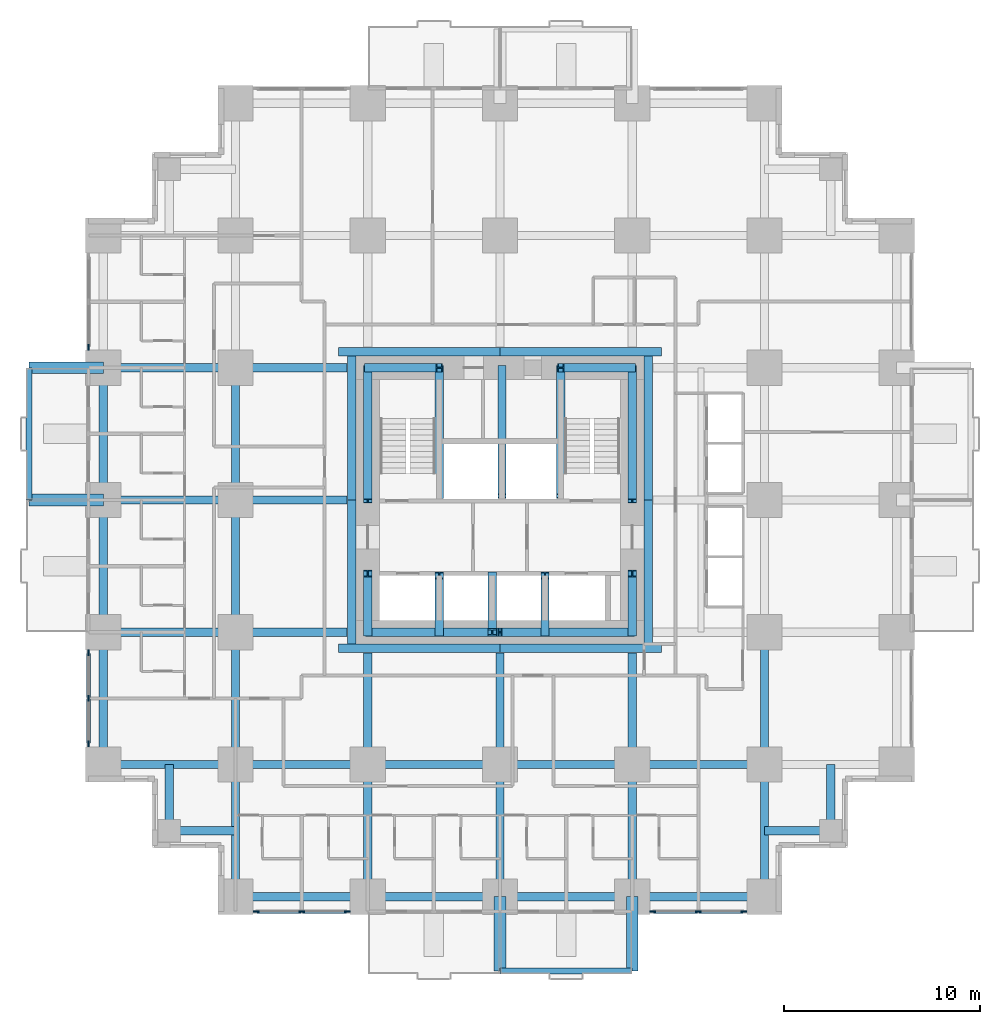
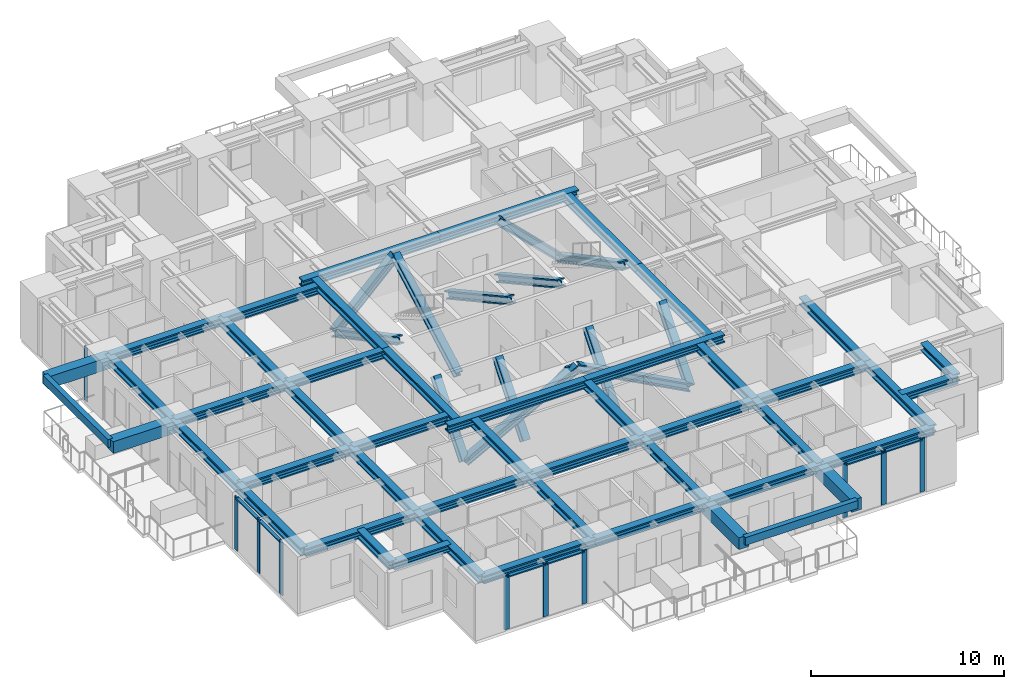
# One storey, part 2 of 13: 48 beams, 30 members, 4 elements without a shape of their own.
"""IFC4 building model written with IfcOpenShell, lengths in metres."""

from ifc_helpers import new_model, si_unit, direction, frame, origin, origin_2d, place, context, subcontext, project, spatial, rectangle, i_section, extrude, material, material_profile, profile_set, type_object, element, aggregate, save


model = new_model("IFC4")

# Units and contexts
model_context = context("Model", 3, precision=1e-05, world=origin(), true_north=direction((0.0, 1.0)))
body_context = subcontext(model_context, "Body", "Model", "MODEL_VIEW")
ifc_project = project(units=[si_unit("LENGTHUNIT", "METRE"), si_unit("AREAUNIT", "SQUARE_METRE"), si_unit("VOLUMEUNIT", "CUBIC_METRE"), si_unit("PLANEANGLEUNIT", "RADIAN"), si_unit("MASSUNIT", "GRAM", prefix="KILO")], contexts=[model_context])

# Site, building, storey
site_placement = place(None, origin())
site = spatial("IfcSite", under=ifc_project, at=site_placement, CompositionType="ELEMENT")
building_placement = place(site_placement, origin())
building = spatial("IfcBuilding", under=site, at=building_placement, Name="Nyansa Garden Tower", CompositionType="ELEMENT")
storey_placement = place(building_placement, frame((0.0, 0.0, 46.800048828125)))
storey = spatial("IfcBuildingStorey", under=building, at=storey_placement, Name="L12", CompositionType="ELEMENT", Elevation=46.800048828125)

# Beams
ifc_material_1 = material(Name="Concrete C70/85", Category="concrete")
ifc_material_profile_1 = material_profile(ifc_material_1, rectangle(XDim=0.60009765625, YDim=0.75, at=origin_2d()), Name="RC 600x750")
ifc_profile_set_1 = profile_set([ifc_material_profile_1], Name="Concrete C70/85")
beam_type_1 = type_object("IfcBeamType", Name="Balcony cantilever beam CB1 RC 600x750", PredefinedType="BEAM", material=ifc_profile_set_1)
for number, where, z_axis, x_axis, name in (
    (1, (20.25, 0.0, 2.98486328125), (0.0, -1.0, 0.0), (1.0, 0.0, 0.0), "Balcony cantilever beam L13"),
    (2, (27.0, 0.0, 2.98486328125), (0.0, -1.0, 0.0), (1.0, 0.0, 0.0), "Balcony cantilever beam L13"),
    (3, (0.0, 20.25, 2.98486328125), (-1.0, 0.0, 0.0), (0.0, -1.0, 0.0), "Balcony cantilever beam L13"),
    (4, (0.0, 27.0, 2.98486328125), (-1.0, 0.0, 0.0), (0.0, -1.0, 0.0), "Balcony cantilever beam L13"),
):
    element("IfcBeam", number, at=place(storey_placement, frame(where, z_axis=z_axis, x_axis=x_axis)), inside=storey, type_object=beam_type_1, Name=name, PredefinedType="BEAM", context=body_context, shape_type="SweptSolid", body=[
        extrude(rectangle(XDim=0.60009765625, YDim=0.75, at=origin_2d()), origin(), (0.0, 0.0, 1.0), 3.800048828125),
    ])
ifc_material_2 = material(Name="Concrete C70/85", Category="concrete")
ifc_material_profile_2 = material_profile(ifc_material_2, rectangle(XDim=0.300048828125, YDim=0.5, at=origin_2d()), Name="RC 300x500")
ifc_profile_set_2 = profile_set([ifc_material_profile_2], Name="Concrete C70/85")
beam_type_2 = type_object("IfcBeamType", Name="Balcony edge beam BE1 RC 300x500", PredefinedType="BEAM", material=ifc_profile_set_2)
for number, where, z_axis, x_axis, name in (
    (5, (20.25, -3.800048828125, 3.10986328125), (1.0, 0.0, 0.0), (0.0, 1.0, 0.0), "Balcony edge beam L13"),
    (6, (-3.800048828125, 20.25, 3.10986328125), (0.0, 1.0, 0.0), (-1.0, 0.0, 0.0), "Balcony edge beam L13"),
):
    element("IfcBeam", number, at=place(storey_placement, frame(where, z_axis=z_axis, x_axis=x_axis)), inside=storey, type_object=beam_type_2, Name=name, PredefinedType="BEAM", context=body_context, shape_type="SweptSolid", body=[
        extrude(rectangle(XDim=0.300048828125, YDim=0.5, at=origin_2d()), origin(), (0.0, 0.0, 1.0), 6.75),
    ])

# Curtain wall, members
ifc_material_3 = material(Name="Black anodised aluminium, dark tinted double glazing", Category="aluminium")
curtain_wall_type = type_object("IfcCurtainWallType", Name="Sky lounge curtain wall SLW", PredefinedType="USERDEFINED", material=ifc_material_3)
curtain_wall_1_placement = place(storey_placement, origin())
curtain_wall_1 = element("IfcCurtainWall", 7, at=curtain_wall_1_placement, inside=storey, type_object=curtain_wall_type, Name="Inner skin curtain wall L12 W", ObjectType="UNITISED CURTAIN WALL", PredefinedType="USERDEFINED")
ifc_material_4 = material(Name="Black anodised aluminium", Category="aluminium")
ifc_material_profile_3 = material_profile(ifc_material_4, rectangle(XDim=0.080078125, YDim=0.300048828125, at=origin_2d()), Name="Mullion 300x80")
ifc_profile_set_3 = profile_set([ifc_material_profile_3], Name="Black anodised aluminium")
member_type_1 = type_object("IfcMemberType", Name="Mullion SLW 300x80", PredefinedType="MULLION", material=ifc_profile_set_3)
member_1_placement = place(storey_placement, frame((-0.75, 12.449951171875, 0.0), z_axis=(0.0, 0.0, 1.0), x_axis=(1.0, 0.0, 0.0)))
member_1 = element("IfcMember", 8, at=member_1_placement, type_object=member_type_1, Name="SLW mullion 1", PredefinedType="MULLION", context=body_context, shape_type="SweptSolid", body=[
    extrude(rectangle(XDim=0.080078125, YDim=0.300048828125, at=origin_2d()), origin(), (0.0, 0.0, 1.0), 3.375),
])
member_2_placement = place(storey_placement, frame((-0.75, 10.125, 0.0), z_axis=(0.0, 0.0, 1.0), x_axis=(1.0, 0.0, 0.0)))
member_2 = element("IfcMember", 9, at=member_2_placement, type_object=member_type_1, Name="SLW mullion 2", PredefinedType="MULLION", context=body_context, shape_type="SweptSolid", body=[
    extrude(rectangle(XDim=0.080078125, YDim=0.300048828125, at=origin_2d()), origin(), (0.0, 0.0, 1.0), 3.375),
])
member_3_placement = place(storey_placement, frame((-0.75, 7.800048828125, 0.0), z_axis=(0.0, 0.0, 1.0), x_axis=(1.0, 0.0, 0.0)))
member_3 = element("IfcMember", 10, at=member_3_placement, type_object=member_type_1, Name="SLW mullion 3", PredefinedType="MULLION", context=body_context, shape_type="SweptSolid", body=[
    extrude(rectangle(XDim=0.080078125, YDim=0.300048828125, at=origin_2d()), origin(), (0.0, 0.0, 1.0), 3.375),
])

# Curtain wall, member
curtain_wall_2_placement = place(storey_placement, origin())
curtain_wall_2 = element("IfcCurtainWall", 11, at=curtain_wall_2_placement, inside=storey, type_object=curtain_wall_type, Name="Inner skin curtain wall L12 W", ObjectType="UNITISED CURTAIN WALL", PredefinedType="USERDEFINED")
member_4_placement = place(storey_placement, frame((-0.75, 28.050048828125, 0.0), z_axis=(0.0, 0.0, 1.0), x_axis=(1.0, 0.0, 0.0)))
member_4 = element("IfcMember", 12, at=member_4_placement, type_object=member_type_1, Name="SLW mullion 3", PredefinedType="MULLION", context=body_context, shape_type="SweptSolid", body=[
    extrude(rectangle(XDim=0.080078125, YDim=0.300048828125, at=origin_2d()), origin(), (0.0, 0.0, 1.0), 3.375),
])
aggregate(curtain_wall_2, [member_4])

# Curtain wall, members
curtain_wall_3_placement = place(storey_placement, origin())
curtain_wall_3 = element("IfcCurtainWall", 13, at=curtain_wall_3_placement, inside=storey, type_object=curtain_wall_type, Name="Inner skin curtain wall L12 S", ObjectType="UNITISED CURTAIN WALL", PredefinedType="USERDEFINED")
member_5_placement = place(storey_placement, frame((7.800048828125, -0.75, 0.0), z_axis=(0.0, 0.0, 1.0), x_axis=(0.0, 1.0, 0.0)))
member_5 = element("IfcMember", 14, at=member_5_placement, type_object=member_type_1, Name="SLW mullion 1", PredefinedType="MULLION", context=body_context, shape_type="SweptSolid", body=[
    extrude(rectangle(XDim=0.080078125, YDim=0.300048828125, at=origin_2d()), origin(), (0.0, 0.0, 1.0), 3.375),
])
member_6_placement = place(storey_placement, frame((10.125, -0.75, 0.0), z_axis=(0.0, 0.0, 1.0), x_axis=(0.0, 1.0, 0.0)))
member_6 = element("IfcMember", 15, at=member_6_placement, type_object=member_type_1, Name="SLW mullion 2", PredefinedType="MULLION", context=body_context, shape_type="SweptSolid", body=[
    extrude(rectangle(XDim=0.080078125, YDim=0.300048828125, at=origin_2d()), origin(), (0.0, 0.0, 1.0), 3.375),
])
member_7_placement = place(storey_placement, frame((12.449951171875, -0.75, 0.0), z_axis=(0.0, 0.0, 1.0), x_axis=(0.0, 1.0, 0.0)))
member_7 = element("IfcMember", 16, at=member_7_placement, type_object=member_type_1, Name="SLW mullion 3", PredefinedType="MULLION", context=body_context, shape_type="SweptSolid", body=[
    extrude(rectangle(XDim=0.080078125, YDim=0.300048828125, at=origin_2d()), origin(), (0.0, 0.0, 1.0), 3.375),
])

curtain_wall_4_placement = place(storey_placement, origin())
curtain_wall_4 = element("IfcCurtainWall", 17, at=curtain_wall_4_placement, inside=storey, type_object=curtain_wall_type, Name="Inner skin curtain wall L12 S", ObjectType="UNITISED CURTAIN WALL", PredefinedType="USERDEFINED")
member_8_placement = place(storey_placement, frame((28.050048828125, -0.75, 0.0), z_axis=(0.0, 0.0, 1.0), x_axis=(0.0, 1.0, 0.0)))
member_8 = element("IfcMember", 18, at=member_8_placement, type_object=member_type_1, Name="SLW mullion 1", PredefinedType="MULLION", context=body_context, shape_type="SweptSolid", body=[
    extrude(rectangle(XDim=0.080078125, YDim=0.300048828125, at=origin_2d()), origin(), (0.0, 0.0, 1.0), 3.375),
])
member_9_placement = place(storey_placement, frame((30.375, -0.75, 0.0), z_axis=(0.0, 0.0, 1.0), x_axis=(0.0, 1.0, 0.0)))
member_9 = element("IfcMember", 19, at=member_9_placement, type_object=member_type_1, Name="SLW mullion 2", PredefinedType="MULLION", context=body_context, shape_type="SweptSolid", body=[
    extrude(rectangle(XDim=0.080078125, YDim=0.300048828125, at=origin_2d()), origin(), (0.0, 0.0, 1.0), 3.375),
])
member_10_placement = place(storey_placement, frame((32.699951171875, -0.75, 0.0), z_axis=(0.0, 0.0, 1.0), x_axis=(0.0, 1.0, 0.0)))
member_10 = element("IfcMember", 20, at=member_10_placement, type_object=member_type_1, Name="SLW mullion 3", PredefinedType="MULLION", context=body_context, shape_type="SweptSolid", body=[
    extrude(rectangle(XDim=0.080078125, YDim=0.300048828125, at=origin_2d()), origin(), (0.0, 0.0, 1.0), 3.375),
])

# Members
ifc_material_5 = material(Name="Steel S355", Category="steel")
ifc_material_profile_4 = material_profile(ifc_material_5, i_section(OverallWidth=0.424072265625, OverallDepth=0.47412109375, WebThickness=0.047607421875, FlangeThickness=0.076904296875, FilletRadius=0.014892578125, at=origin_2d()), Name="HD 400x634")
ifc_profile_set_4 = profile_set([ifc_material_profile_4], Name="Steel S355")
member_type_2 = type_object("IfcMemberType", Name="Perimeter brace HD 400x634", PredefinedType="BRACE", material=ifc_profile_set_4)
for number, where, z_axis, x_axis, name in (
    (21, (13.5, 13.5, 0.0), (0.882360891967, 0.0, 0.470573327259), (0.0, 1.0, 0.0), "Core brace CS1 L12"),
    (22, (27.0, 13.5, 0.0), (-0.882360891967, 0.0, 0.470573327259), (0.0, -1.0, 0.0), "Core brace CS2 L12"),
):
    element("IfcMember", number, at=place(storey_placement, frame(where, z_axis=z_axis, x_axis=x_axis)), inside=storey, type_object=member_type_2, Name=name, PredefinedType="BRACE", context=body_context, shape_type="SweptSolid", body=[
        extrude(i_section(OverallWidth=0.424072265625, OverallDepth=0.47412109375, WebThickness=0.047607421875, FlangeThickness=0.076904296875, FilletRadius=0.014892578125, at=origin_2d()), origin(), (0.0, 0.0, 1.0), 7.64990234375),
    ])
for number, where, z_axis, x_axis, name in (
    (23, (13.5, 27.0, 0.0), (0.711971340796, 0.0, 0.702208523079), (0.0, 1.0, 0.0), "Core brace CN3 L12"),
    (24, (27.0, 27.0, 0.0), (-0.711971340796, 0.0, 0.702208523079), (0.0, -1.0, 0.0), "Core brace CN4 L12"),
):
    element("IfcMember", number, at=place(storey_placement, frame(where, z_axis=z_axis, x_axis=x_axis)), inside=storey, type_object=member_type_2, Name=name, PredefinedType="BRACE", context=body_context, shape_type="SweptSolid", body=[
        extrude(i_section(OverallWidth=0.424072265625, OverallDepth=0.47412109375, WebThickness=0.047607421875, FlangeThickness=0.076904296875, FilletRadius=0.014892578125, at=origin_2d()), origin(), (0.0, 0.0, 1.0), 5.12646484375),
    ])
member_11_placement = place(storey_placement, frame((13.5, 13.5, 0.0), z_axis=(0.0, 0.640199773186, 0.768208468069), x_axis=(-1.0, 0.0, 0.0)))
element("IfcMember", 25, at=member_11_placement, inside=storey, type_object=member_type_2, Name="Core brace CW5 L12", PredefinedType="BRACE", context=body_context, shape_type="SweptSolid", body=[
    extrude(i_section(OverallWidth=0.424072265625, OverallDepth=0.47412109375, WebThickness=0.047607421875, FlangeThickness=0.076904296875, FilletRadius=0.014892578125, at=origin_2d()), origin(), (0.0, 0.0, 1.0), 4.68603515625),
])
member_12_placement = place(storey_placement, frame((13.5, 27.0, 0.0), z_axis=(0.0, -0.883797178129, 0.467870225524), x_axis=(1.0, 0.0, 0.0)))
element("IfcMember", 26, at=member_12_placement, inside=storey, type_object=member_type_2, Name="Core brace CW6 L12", PredefinedType="BRACE", context=body_context, shape_type="SweptSolid", body=[
    extrude(i_section(OverallWidth=0.424072265625, OverallDepth=0.47412109375, WebThickness=0.047607421875, FlangeThickness=0.076904296875, FilletRadius=0.014892578125, at=origin_2d()), origin(), (0.0, 0.0, 1.0), 7.694091796875),
])
member_13_placement = place(storey_placement, frame((27.0, 13.5, 0.0), z_axis=(0.0, 0.640199773186, 0.768208468069), x_axis=(-1.0, 0.0, 0.0)))
element("IfcMember", 27, at=member_13_placement, inside=storey, type_object=member_type_2, Name="Core brace CE7 L12", PredefinedType="BRACE", context=body_context, shape_type="SweptSolid", body=[
    extrude(i_section(OverallWidth=0.424072265625, OverallDepth=0.47412109375, WebThickness=0.047607421875, FlangeThickness=0.076904296875, FilletRadius=0.014892578125, at=origin_2d()), origin(), (0.0, 0.0, 1.0), 4.68603515625),
])
member_14_placement = place(storey_placement, frame((27.0, 27.0, 0.0), z_axis=(0.0, -0.883797178129, 0.467870225524), x_axis=(1.0, 0.0, 0.0)))
element("IfcMember", 28, at=member_14_placement, inside=storey, type_object=member_type_2, Name="Core brace CE8 L12", PredefinedType="BRACE", context=body_context, shape_type="SweptSolid", body=[
    extrude(i_section(OverallWidth=0.424072265625, OverallDepth=0.47412109375, WebThickness=0.047607421875, FlangeThickness=0.076904296875, FilletRadius=0.014892578125, at=origin_2d()), origin(), (0.0, 0.0, 1.0), 7.694091796875),
])
for number, where, z_axis, x_axis, name in (
    (29, (17.14990234375, 20.449951171875, 0.0), (0.0, 0.876366901673, 0.481644115143), (-1.0, 0.0, 0.0), "Core brace CWS9 L12"),
    (30, (23.35009765625, 27.0, 0.0), (0.0, -0.876366901673, 0.481644115143), (1.0, 0.0, 0.0), "Core brace CES10 L12"),
):
    element("IfcMember", number, at=place(storey_placement, frame(where, z_axis=z_axis, x_axis=x_axis)), inside=storey, type_object=member_type_2, Name=name, PredefinedType="BRACE", context=body_context, shape_type="SweptSolid", body=[
        extrude(i_section(OverallWidth=0.424072265625, OverallDepth=0.47412109375, WebThickness=0.047607421875, FlangeThickness=0.076904296875, FilletRadius=0.014892578125, at=origin_2d()), origin(), (0.0, 0.0, 1.0), 7.47412109375),
    ])
for number, where, z_axis, x_axis, name in (
    (31, (17.14990234375, 13.5, 0.0), (0.0, 0.627332207022, 0.778751758928), (-1.0, 0.0, 0.0), "Core brace CSW11 L12"),
    (32, (19.85009765625, 16.39990234375, 0.0), (0.0, -0.627332207022, 0.778751758928), (1.0, 0.0, 0.0), "Core brace CSW12 L12"),
    (33, (22.550048828125, 13.5, 0.0), (0.0, 0.627332207022, 0.778751758928), (-1.0, 0.0, 0.0), "Core brace CSW13 L12"),
):
    element("IfcMember", number, at=place(storey_placement, frame(where, z_axis=z_axis, x_axis=x_axis)), inside=storey, type_object=member_type_2, Name=name, PredefinedType="BRACE", context=body_context, shape_type="SweptSolid", body=[
        extrude(i_section(OverallWidth=0.424072265625, OverallDepth=0.47412109375, WebThickness=0.047607421875, FlangeThickness=0.076904296875, FilletRadius=0.014892578125, at=origin_2d()), origin(), (0.0, 0.0, 1.0), 4.62255859375),
    ])
member_15_placement = place(storey_placement, frame((20.35009765625, 27.0, 0.0), z_axis=(0.0, -0.876366901673, 0.481644115143), x_axis=(1.0, 0.0, 0.0)))
element("IfcMember", 34, at=member_15_placement, inside=storey, type_object=member_type_2, Name="Core brace CNW14 L12", PredefinedType="BRACE", context=body_context, shape_type="SweptSolid", body=[
    extrude(i_section(OverallWidth=0.424072265625, OverallDepth=0.47412109375, WebThickness=0.047607421875, FlangeThickness=0.076904296875, FilletRadius=0.014892578125, at=origin_2d()), origin(), (0.0, 0.0, 1.0), 7.47412109375),
])

# Beams
ifc_material_6 = material(Name="Steel S355", Category="steel")
ifc_material_profile_5 = material_profile(ifc_material_6, i_section(OverallWidth=0.431884765625, OverallDepth=0.498046875, WebThickness=0.0556640625, FlangeThickness=0.0888671875, FilletRadius=0.014892578125, at=origin_2d()), Name="HD 400x744")
ifc_profile_set_5 = profile_set([ifc_material_profile_5], Name="Steel S355")
beam_type_3 = type_object("IfcBeamType", Name="Steel beam SBA1-744 HD 400x744", PredefinedType="BEAM", material=ifc_profile_set_5)
for number, where, z_axis, x_axis, name in (
    (35, (0.0, 6.75, 3.1259765625), (1.0, 0.0, 0.0), (0.0, 1.0, 0.0), "Steel beam 2/E-3/E L13"),
    (36, (0.0, 13.5, 3.1259765625), (1.0, 0.0, 0.0), (0.0, 1.0, 0.0), "Steel beam 2/F-3/F L13"),
    (37, (0.0, 20.25, 3.1259765625), (1.0, 0.0, 0.0), (0.0, 1.0, 0.0), "Steel beam 2/G-3/G L13"),
    (38, (0.0, 27.0, 3.1259765625), (1.0, 0.0, 0.0), (0.0, 1.0, 0.0), "Steel beam 2/H-3/H L13"),
    (39, (6.75, 0.0, 3.1259765625), (0.0, 1.0, 0.0), (-1.0, 0.0, 0.0), "Steel beam 3/D-3/E L13"),
    (40, (6.75, 6.75, 3.1259765625), (0.0, 1.0, 0.0), (-1.0, 0.0, 0.0), "Steel beam 3/E-3/F L13"),
    (41, (6.75, 6.75, 3.1259765625), (1.0, 0.0, 0.0), (0.0, 1.0, 0.0), "Steel beam 3/E-4/E L13"),
    (42, (6.75, 13.5, 3.1259765625), (0.0, 1.0, 0.0), (-1.0, 0.0, 0.0), "Steel beam 3/F-3/G L13"),
):
    element("IfcBeam", number, at=place(storey_placement, frame(where, z_axis=z_axis, x_axis=x_axis)), inside=storey, type_object=beam_type_3, Name=name, PredefinedType="BEAM", context=body_context, shape_type="SweptSolid", body=[
        extrude(i_section(OverallWidth=0.431884765625, OverallDepth=0.498046875, WebThickness=0.0556640625, FlangeThickness=0.0888671875, FilletRadius=0.014892578125, at=origin_2d()), origin(), (0.0, 0.0, 1.0), 6.75),
    ])
beam_1_placement = place(storey_placement, frame((6.75, 13.5, 3.1259765625), z_axis=(1.0, 0.0, 0.0), x_axis=(0.0, 1.0, 0.0)))
element("IfcBeam", 43, at=beam_1_placement, inside=storey, type_object=beam_type_3, Name="Steel beam 3/F-12.450/F L13", PredefinedType="BEAM", context=body_context, shape_type="SweptSolid", body=[
    extrude(i_section(OverallWidth=0.431884765625, OverallDepth=0.498046875, WebThickness=0.0556640625, FlangeThickness=0.0888671875, FilletRadius=0.014892578125, at=origin_2d()), origin(), (0.0, 0.0, 1.0), 5.699951171875),
])
beam_2_placement = place(storey_placement, frame((6.75, 20.25, 3.1259765625), z_axis=(0.0, 1.0, 0.0), x_axis=(-1.0, 0.0, 0.0)))
element("IfcBeam", 44, at=beam_2_placement, inside=storey, type_object=beam_type_3, Name="Steel beam 3/G-3/H L13", PredefinedType="BEAM", context=body_context, shape_type="SweptSolid", body=[
    extrude(i_section(OverallWidth=0.431884765625, OverallDepth=0.498046875, WebThickness=0.0556640625, FlangeThickness=0.0888671875, FilletRadius=0.014892578125, at=origin_2d()), origin(), (0.0, 0.0, 1.0), 6.75),
])
for number, where, z_axis, x_axis, name in (
    (45, (6.75, 20.25, 3.1259765625), (1.0, 0.0, 0.0), (0.0, 1.0, 0.0), "Steel beam 3/G-12.450/G L13"),
    (46, (6.75, 27.0, 3.1259765625), (1.0, 0.0, 0.0), (0.0, 1.0, 0.0), "Steel beam 3/H-12.450/H L13"),
):
    element("IfcBeam", number, at=place(storey_placement, frame(where, z_axis=z_axis, x_axis=x_axis)), inside=storey, type_object=beam_type_3, Name=name, PredefinedType="BEAM", context=body_context, shape_type="SweptSolid", body=[
        extrude(i_section(OverallWidth=0.431884765625, OverallDepth=0.498046875, WebThickness=0.0556640625, FlangeThickness=0.0888671875, FilletRadius=0.014892578125, at=origin_2d()), origin(), (0.0, 0.0, 1.0), 5.699951171875),
    ])
beam_3_placement = place(storey_placement, frame((13.5, 0.0, 3.1259765625), z_axis=(0.0, 1.0, 0.0), x_axis=(-1.0, 0.0, 0.0)))
element("IfcBeam", 47, at=beam_3_placement, inside=storey, type_object=beam_type_3, Name="Steel beam 4/D-4/E L13", PredefinedType="BEAM", context=body_context, shape_type="SweptSolid", body=[
    extrude(i_section(OverallWidth=0.431884765625, OverallDepth=0.498046875, WebThickness=0.0556640625, FlangeThickness=0.0888671875, FilletRadius=0.014892578125, at=origin_2d()), origin(), (0.0, 0.0, 1.0), 6.75),
])
beam_4_placement = place(storey_placement, frame((13.5, 6.75, 3.1259765625), z_axis=(0.0, 1.0, 0.0), x_axis=(-1.0, 0.0, 0.0)))
element("IfcBeam", 48, at=beam_4_placement, inside=storey, type_object=beam_type_3, Name="Steel beam 4/E-4/12.450 L13", PredefinedType="BEAM", context=body_context, shape_type="SweptSolid", body=[
    extrude(i_section(OverallWidth=0.431884765625, OverallDepth=0.498046875, WebThickness=0.0556640625, FlangeThickness=0.0888671875, FilletRadius=0.014892578125, at=origin_2d()), origin(), (0.0, 0.0, 1.0), 5.699951171875),
])
for number, where, z_axis, x_axis, name in (
    (49, (13.5, 6.75, 3.1259765625), (1.0, 0.0, 0.0), (0.0, 1.0, 0.0), "Steel beam 4/E-5/E L13"),
    (50, (20.25, 0.0, 3.1259765625), (0.0, 1.0, 0.0), (-1.0, 0.0, 0.0), "Steel beam 5/D-5/E L13"),
):
    element("IfcBeam", number, at=place(storey_placement, frame(where, z_axis=z_axis, x_axis=x_axis)), inside=storey, type_object=beam_type_3, Name=name, PredefinedType="BEAM", context=body_context, shape_type="SweptSolid", body=[
        extrude(i_section(OverallWidth=0.431884765625, OverallDepth=0.498046875, WebThickness=0.0556640625, FlangeThickness=0.0888671875, FilletRadius=0.014892578125, at=origin_2d()), origin(), (0.0, 0.0, 1.0), 6.75),
    ])
beam_5_placement = place(storey_placement, frame((20.25, 6.75, 3.1259765625), z_axis=(0.0, 1.0, 0.0), x_axis=(-1.0, 0.0, 0.0)))
element("IfcBeam", 51, at=beam_5_placement, inside=storey, type_object=beam_type_3, Name="Steel beam 5/E-5/12.450 L13", PredefinedType="BEAM", context=body_context, shape_type="SweptSolid", body=[
    extrude(i_section(OverallWidth=0.431884765625, OverallDepth=0.498046875, WebThickness=0.0556640625, FlangeThickness=0.0888671875, FilletRadius=0.014892578125, at=origin_2d()), origin(), (0.0, 0.0, 1.0), 5.699951171875),
])
for number, where, z_axis, x_axis, name in (
    (52, (20.25, 6.75, 3.1259765625), (1.0, 0.0, 0.0), (0.0, 1.0, 0.0), "Steel beam 5/E-6/E L13"),
    (53, (27.0, 0.0, 3.1259765625), (0.0, 1.0, 0.0), (-1.0, 0.0, 0.0), "Steel beam 6/D-6/E L13"),
):
    element("IfcBeam", number, at=place(storey_placement, frame(where, z_axis=z_axis, x_axis=x_axis)), inside=storey, type_object=beam_type_3, Name=name, PredefinedType="BEAM", context=body_context, shape_type="SweptSolid", body=[
        extrude(i_section(OverallWidth=0.431884765625, OverallDepth=0.498046875, WebThickness=0.0556640625, FlangeThickness=0.0888671875, FilletRadius=0.014892578125, at=origin_2d()), origin(), (0.0, 0.0, 1.0), 6.75),
    ])
beam_6_placement = place(storey_placement, frame((27.0, 6.75, 3.1259765625), z_axis=(0.0, 1.0, 0.0), x_axis=(-1.0, 0.0, 0.0)))
element("IfcBeam", 54, at=beam_6_placement, inside=storey, type_object=beam_type_3, Name="Steel beam 6/E-6/12.450 L13", PredefinedType="BEAM", context=body_context, shape_type="SweptSolid", body=[
    extrude(i_section(OverallWidth=0.431884765625, OverallDepth=0.498046875, WebThickness=0.0556640625, FlangeThickness=0.0888671875, FilletRadius=0.014892578125, at=origin_2d()), origin(), (0.0, 0.0, 1.0), 5.699951171875),
])
for number, where, z_axis, x_axis, name in (
    (55, (27.0, 6.75, 3.1259765625), (1.0, 0.0, 0.0), (0.0, 1.0, 0.0), "Steel beam 6/E-7/E L13"),
    (56, (33.75, 0.0, 3.1259765625), (0.0, 1.0, 0.0), (-1.0, 0.0, 0.0), "Steel beam 7/D-7/E L13"),
    (57, (33.75, 6.75, 3.1259765625), (0.0, 1.0, 0.0), (-1.0, 0.0, 0.0), "Steel beam 7/E-7/F L13"),
):
    element("IfcBeam", number, at=place(storey_placement, frame(where, z_axis=z_axis, x_axis=x_axis)), inside=storey, type_object=beam_type_3, Name=name, PredefinedType="BEAM", context=body_context, shape_type="SweptSolid", body=[
        extrude(i_section(OverallWidth=0.431884765625, OverallDepth=0.498046875, WebThickness=0.0556640625, FlangeThickness=0.0888671875, FilletRadius=0.014892578125, at=origin_2d()), origin(), (0.0, 0.0, 1.0), 6.75),
    ])
ifc_material_7 = material(Name="Steel S355", Category="steel")
ifc_material_profile_6 = material_profile(ifc_material_7, i_section(OverallWidth=0.431884765625, OverallDepth=0.498046875, WebThickness=0.0556640625, FlangeThickness=0.0888671875, FilletRadius=0.014892578125, at=origin_2d()), Name="HD 400x744")
ifc_profile_set_6 = profile_set([ifc_material_profile_6], Name="Steel S355")
beam_type_4 = type_object("IfcBeamType", Name="Steel beam SEBA-744 HD 400x744", PredefinedType="BEAM", material=ifc_profile_set_6)
for number, where, z_axis, x_axis, name in (
    (58, (0.0, 6.75, 3.1259765625), (0.0, 1.0, 0.0), (-1.0, 0.0, 0.0), "Steel edge beam 2/E-2/F L13"),
    (59, (0.0, 13.5, 3.1259765625), (0.0, 1.0, 0.0), (-1.0, 0.0, 0.0), "Steel edge beam 2/F-2/G L13"),
    (60, (0.0, 20.25, 3.1259765625), (0.0, 1.0, 0.0), (-1.0, 0.0, 0.0), "Steel edge beam 2/G-2/H L13"),
    (61, (6.75, 0.0, 3.1259765625), (1.0, 0.0, 0.0), (0.0, 1.0, 0.0), "Steel edge beam 3/D-4/D L13"),
    (62, (13.5, 0.0, 3.1259765625), (1.0, 0.0, 0.0), (0.0, 1.0, 0.0), "Steel edge beam 4/D-5/D L13"),
    (63, (20.25, 0.0, 3.1259765625), (1.0, 0.0, 0.0), (0.0, 1.0, 0.0), "Steel edge beam 5/D-6/D L13"),
    (64, (27.0, 0.0, 3.1259765625), (1.0, 0.0, 0.0), (0.0, 1.0, 0.0), "Steel edge beam 6/D-7/D L13"),
):
    element("IfcBeam", number, at=place(storey_placement, frame(where, z_axis=z_axis, x_axis=x_axis)), inside=storey, type_object=beam_type_4, Name=name, PredefinedType="BEAM", context=body_context, shape_type="SweptSolid", body=[
        extrude(i_section(OverallWidth=0.431884765625, OverallDepth=0.498046875, WebThickness=0.0556640625, FlangeThickness=0.0888671875, FilletRadius=0.014892578125, at=origin_2d()), origin(), (0.0, 0.0, 1.0), 6.75),
    ])
ifc_material_8 = material(Name="Steel S355", Category="steel")
ifc_material_profile_7 = material_profile(ifc_material_8, i_section(OverallWidth=0.431884765625, OverallDepth=0.498046875, WebThickness=0.0556640625, FlangeThickness=0.0888671875, FilletRadius=0.014892578125, at=origin_2d()), Name="HD 400x744")
ifc_profile_set_7 = profile_set([ifc_material_profile_7], Name="Steel S355")
beam_type_5 = type_object("IfcBeamType", Name="Steel beam SLB1-744 HD 400x744", PredefinedType="BEAM", material=ifc_profile_set_7)
for number, where, z_axis, x_axis, name in (
    (65, (12.0, 12.68408203125, 3.1259765625), (1.0, 0.0, 0.0), (0.0, 1.0, 0.0), "Steel core ledger beam S.1 L13"),
    (66, (20.25, 12.68408203125, 3.1259765625), (1.0, 0.0, 0.0), (0.0, 1.0, 0.0), "Steel core ledger beam S.2 L13"),
):
    element("IfcBeam", number, at=place(storey_placement, frame(where, z_axis=z_axis, x_axis=x_axis)), inside=storey, type_object=beam_type_5, Name=name, PredefinedType="BEAM", context=body_context, shape_type="SweptSolid", body=[
        extrude(i_section(OverallWidth=0.431884765625, OverallDepth=0.498046875, WebThickness=0.0556640625, FlangeThickness=0.0888671875, FilletRadius=0.014892578125, at=origin_2d()), origin(), (0.0, 0.0, 1.0), 8.25),
    ])
for number, where, z_axis, x_axis, name in (
    (67, (27.81591796875, 12.89990234375, 3.1259765625), (0.0, 1.0, 0.0), (-1.0, 0.0, 0.0), "Steel core ledger beam E.1 L13"),
    (68, (27.81591796875, 20.25, 3.1259765625), (0.0, 1.0, 0.0), (-1.0, 0.0, 0.0), "Steel core ledger beam E.2 L13"),
):
    element("IfcBeam", number, at=place(storey_placement, frame(where, z_axis=z_axis, x_axis=x_axis)), inside=storey, type_object=beam_type_5, Name=name, PredefinedType="BEAM", context=body_context, shape_type="SweptSolid", body=[
        extrude(i_section(OverallWidth=0.431884765625, OverallDepth=0.498046875, WebThickness=0.0556640625, FlangeThickness=0.0888671875, FilletRadius=0.014892578125, at=origin_2d()), origin(), (0.0, 0.0, 1.0), 7.35009765625),
    ])
for number, where, z_axis, x_axis, name in (
    (69, (28.5, 27.81591796875, 3.1259765625), (-1.0, 0.0, 0.0), (0.0, -1.0, 0.0), "Steel core ledger beam N.1 L13"),
    (70, (20.25, 27.81591796875, 3.1259765625), (-1.0, 0.0, 0.0), (0.0, -1.0, 0.0), "Steel core ledger beam N.2 L13"),
):
    element("IfcBeam", number, at=place(storey_placement, frame(where, z_axis=z_axis, x_axis=x_axis)), inside=storey, type_object=beam_type_5, Name=name, PredefinedType="BEAM", context=body_context, shape_type="SweptSolid", body=[
        extrude(i_section(OverallWidth=0.431884765625, OverallDepth=0.498046875, WebThickness=0.0556640625, FlangeThickness=0.0888671875, FilletRadius=0.014892578125, at=origin_2d()), origin(), (0.0, 0.0, 1.0), 8.25),
    ])
for number, where, z_axis, x_axis, name in (
    (71, (12.68408203125, 27.60009765625, 3.1259765625), (0.0, -1.0, 0.0), (1.0, 0.0, 0.0), "Steel core ledger beam W.1 L13"),
    (72, (12.68408203125, 20.25, 3.1259765625), (0.0, -1.0, 0.0), (1.0, 0.0, 0.0), "Steel core ledger beam W.2 L13"),
):
    element("IfcBeam", number, at=place(storey_placement, frame(where, z_axis=z_axis, x_axis=x_axis)), inside=storey, type_object=beam_type_5, Name=name, PredefinedType="BEAM", context=body_context, shape_type="SweptSolid", body=[
        extrude(i_section(OverallWidth=0.431884765625, OverallDepth=0.498046875, WebThickness=0.0556640625, FlangeThickness=0.0888671875, FilletRadius=0.014892578125, at=origin_2d()), origin(), (0.0, 0.0, 1.0), 7.35009765625),
    ])
ifc_material_9 = material(Name="Steel S355", Category="steel")
ifc_material_profile_8 = material_profile(ifc_material_9, i_section(OverallWidth=0.431884765625, OverallDepth=0.498046875, WebThickness=0.0556640625, FlangeThickness=0.0888671875, FilletRadius=0.014892578125, at=origin_2d()), Name="HD 400x744")
ifc_profile_set_8 = profile_set([ifc_material_profile_8], Name="Steel S355")
beam_type_6 = type_object("IfcBeamType", Name="Steel beam SSB1-744 HD 400x744", PredefinedType="BEAM", material=ifc_profile_set_8)
for number, where, z_axis, x_axis, name in (
    (73, (3.375, 3.375, 3.1259765625), (0.0, 1.0, 0.0), (-1.0, 0.0, 0.0), "Steel step beam 3.375/3.375 L13"),
    (74, (3.375, 3.375, 3.1259765625), (1.0, 0.0, 0.0), (0.0, 1.0, 0.0), "Steel step beam 3.375/3.375 L13"),
    (75, (37.125, 3.375, 3.1259765625), (0.0, 1.0, 0.0), (-1.0, 0.0, 0.0), "Steel step beam 37.125/3.375 L13"),
    (76, (37.125, 3.375, 3.1259765625), (-1.0, 0.0, 0.0), (0.0, -1.0, 0.0), "Steel step beam 37.125/3.375 L13"),
):
    element("IfcBeam", number, at=place(storey_placement, frame(where, z_axis=z_axis, x_axis=x_axis)), inside=storey, type_object=beam_type_6, Name=name, PredefinedType="BEAM", context=body_context, shape_type="SweptSolid", body=[
        extrude(i_section(OverallWidth=0.431884765625, OverallDepth=0.498046875, WebThickness=0.0556640625, FlangeThickness=0.0888671875, FilletRadius=0.014892578125, at=origin_2d()), origin(), (0.0, 0.0, 1.0), 3.375),
    ])

# Member
ifc_material_10 = material(Name="Black anodised aluminium", Category="aluminium")
ifc_material_profile_9 = material_profile(ifc_material_10, rectangle(XDim=0.199951171875, YDim=0.080078125, at=origin_2d()), Name="Transom 200x80")
ifc_profile_set_9 = profile_set([ifc_material_profile_9], Name="Black anodised aluminium")
member_type_3 = type_object("IfcMemberType", Name="Transom SLW 200x80", PredefinedType="USERDEFINED", material=ifc_profile_set_9)
member_16_placement = place(storey_placement, frame((-0.75, 12.409912109375, 3.3349609375), z_axis=(0.0, -1.0, 0.0), x_axis=(1.0, 0.0, 0.0)))
member_16 = element("IfcMember", 77, at=member_16_placement, type_object=member_type_3, Name="SLW transom 1", ObjectType="TRANSOM", PredefinedType="USERDEFINED", context=body_context, shape_type="SweptSolid", body=[
    extrude(rectangle(XDim=0.199951171875, YDim=0.080078125, at=origin_2d()), origin(), (0.0, 0.0, 1.0), 2.244873046875),
])

member_17_placement = place(storey_placement, frame((-0.75, 10.0849609375, 3.3349609375), z_axis=(0.0, -1.0, 0.0), x_axis=(1.0, 0.0, 0.0)))
member_17 = element("IfcMember", 78, at=member_17_placement, type_object=member_type_3, Name="SLW transom 2", ObjectType="TRANSOM", PredefinedType="USERDEFINED", context=body_context, shape_type="SweptSolid", body=[
    extrude(rectangle(XDim=0.199951171875, YDim=0.080078125, at=origin_2d()), origin(), (0.0, 0.0, 1.0), 2.244873046875),
])

aggregate(curtain_wall_1, [member_1, member_2, member_3, member_16, member_17])

member_18_placement = place(storey_placement, frame((7.840087890625, -0.75, 3.3349609375), z_axis=(1.0, 0.0, 0.0), x_axis=(0.0, 1.0, 0.0)))
member_18 = element("IfcMember", 79, at=member_18_placement, type_object=member_type_3, Name="SLW transom 1", ObjectType="TRANSOM", PredefinedType="USERDEFINED", context=body_context, shape_type="SweptSolid", body=[
    extrude(rectangle(XDim=0.199951171875, YDim=0.080078125, at=origin_2d()), origin(), (0.0, 0.0, 1.0), 2.244873046875),
])

member_19_placement = place(storey_placement, frame((10.1650390625, -0.75, 3.3349609375), z_axis=(1.0, 0.0, 0.0), x_axis=(0.0, 1.0, 0.0)))
member_19 = element("IfcMember", 80, at=member_19_placement, type_object=member_type_3, Name="SLW transom 2", ObjectType="TRANSOM", PredefinedType="USERDEFINED", context=body_context, shape_type="SweptSolid", body=[
    extrude(rectangle(XDim=0.199951171875, YDim=0.080078125, at=origin_2d()), origin(), (0.0, 0.0, 1.0), 2.244873046875),
])

aggregate(curtain_wall_3, [member_5, member_6, member_7, member_18, member_19])

member_20_placement = place(storey_placement, frame((28.090087890625, -0.75, 3.3349609375), z_axis=(1.0, 0.0, 0.0), x_axis=(0.0, 1.0, 0.0)))
member_20 = element("IfcMember", 81, at=member_20_placement, type_object=member_type_3, Name="SLW transom 1", ObjectType="TRANSOM", PredefinedType="USERDEFINED", context=body_context, shape_type="SweptSolid", body=[
    extrude(rectangle(XDim=0.199951171875, YDim=0.080078125, at=origin_2d()), origin(), (0.0, 0.0, 1.0), 2.244873046875),
])

member_21_placement = place(storey_placement, frame((30.4150390625, -0.75, 3.3349609375), z_axis=(1.0, 0.0, 0.0), x_axis=(0.0, 1.0, 0.0)))
member_21 = element("IfcMember", 82, at=member_21_placement, type_object=member_type_3, Name="SLW transom 2", ObjectType="TRANSOM", PredefinedType="USERDEFINED", context=body_context, shape_type="SweptSolid", body=[
    extrude(rectangle(XDim=0.199951171875, YDim=0.080078125, at=origin_2d()), origin(), (0.0, 0.0, 1.0), 2.244873046875),
])

aggregate(curtain_wall_4, [member_8, member_9, member_10, member_20, member_21])

save(model, "model.ifc")
